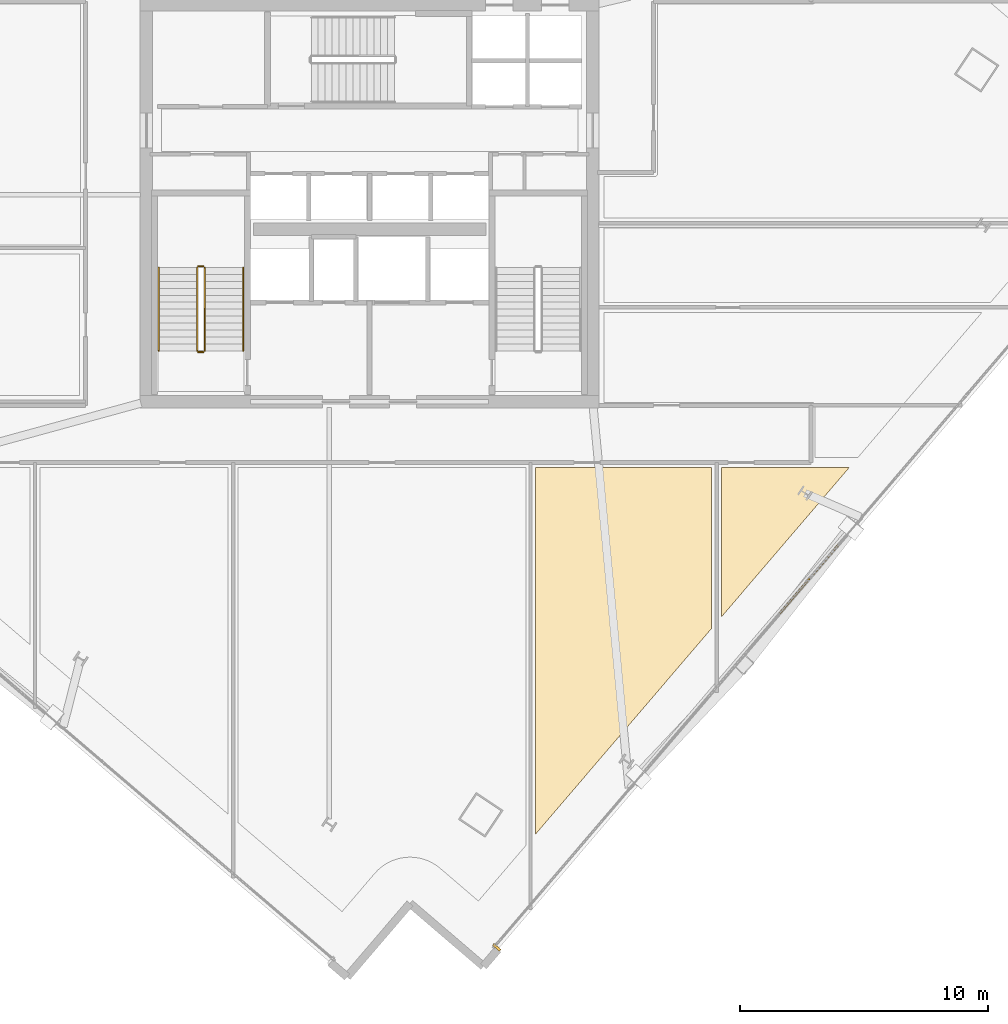
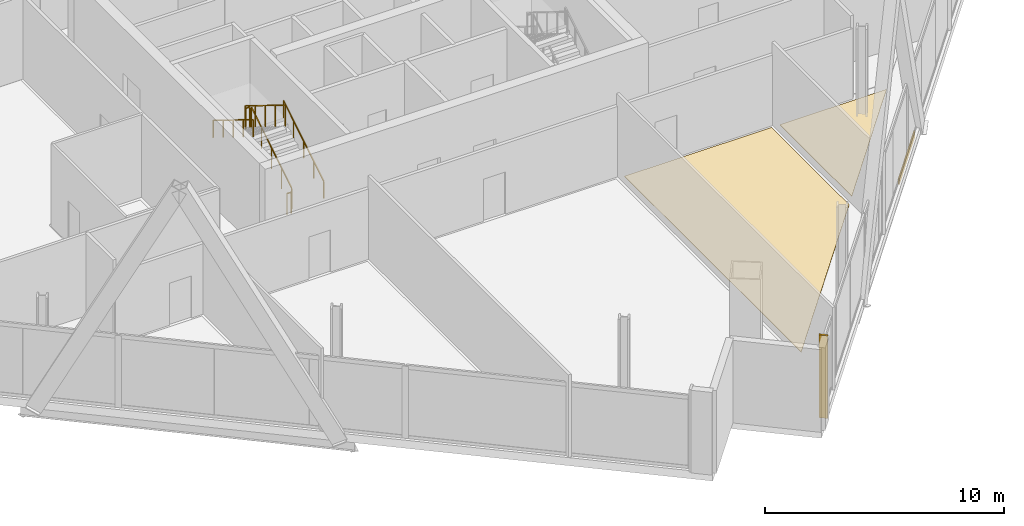
# One storey, part 23 of 26: 6 railings, 4 coverings.
"""IFC4 building model written with IfcOpenShell, lengths in metres."""

from ifc_helpers import new_model, si_unit, direction, frame, origin, origin_2d, place, context, subcontext, project, spatial, polyline, rectangle, outline, extrude, source, transform, mapped, material, layer, layer_set, type_object, element, save


model = new_model("IFC4")

# Units and contexts
model_context = context("Model", 3, precision=1e-05, world=origin(), true_north=direction((0.0, 1.0)))
body_context = subcontext(model_context, "Body", "Model", "MODEL_VIEW")
ifc_project = project(units=[si_unit("LENGTHUNIT", "METRE"), si_unit("AREAUNIT", "SQUARE_METRE"), si_unit("VOLUMEUNIT", "CUBIC_METRE"), si_unit("PLANEANGLEUNIT", "RADIAN"), si_unit("MASSUNIT", "GRAM", prefix="KILO")], contexts=[model_context])

# Site, building, storey
site_placement = place(None, origin())
site = spatial("IfcSite", under=ifc_project, at=site_placement, CompositionType="ELEMENT")
building_placement = place(site_placement, origin())
building = spatial("IfcBuilding", under=site, at=building_placement, Name="Haldenkirk Collegiate Tower", CompositionType="ELEMENT")
storey_placement = place(building_placement, frame((0.0, 0.0, 193.949951171875)))
storey = spatial("IfcBuildingStorey", under=building, at=storey_placement, Name="L48", CompositionType="ELEMENT", Elevation=193.949951171875)

# Coverings
ifc_material_1 = material(Name="Polished collegiate terrazzo", Category="concrete")
ifc_layer_1 = layer(ifc_material_1, 0.02490234375)
ifc_layer_set_1 = layer_set([ifc_layer_1], Name="Polished collegiate terrazzo")
covering_type_1 = type_object("IfcCoveringType", Name="COV-FLOOR-TERRAZZO", PredefinedType="FLOORING", material=ifc_layer_set_1)
covering_1_placement = place(storey_placement, origin())
element("IfcCovering", 1, at=covering_1_placement, inside=storey, type_object=covering_type_1, Name="L48 academic room finish 06", PredefinedType="FLOORING", context=body_context, shape_type="SweptSolid", body=[
    extrude(outline(polyline([(50.199951171875, 9.325439453125), (50.199951171875, 15.35009765625), (55.3544921875, 15.35009765625), (50.199951171875, 9.325439453125)])), origin(), (0.0, 0.0, 1.0), 0.025146484375),
])
ifc_material_2 = material(Name="Engineered collegiate oak acoustic flooring", Category="wood")
ifc_layer_2 = layer(ifc_material_2, 0.02197265625)
ifc_layer_set_2 = layer_set([ifc_layer_2], Name="Engineered collegiate oak acoustic flooring")
covering_type_2 = type_object("IfcCoveringType", Name="COV-FLOOR-TIMBER", PredefinedType="FLOORING", material=ifc_layer_set_2)
covering_2_placement = place(storey_placement, origin())
element("IfcCovering", 2, at=covering_2_placement, inside=storey, type_object=covering_type_2, Name="L48 academic room finish 05", PredefinedType="FLOORING", context=body_context, shape_type="SweptSolid", body=[
    extrude(outline(polyline([(42.699951171875, 0.559814453125), (42.699951171875, 15.35009765625), (49.800048828125, 15.35009765625), (49.800048828125, 8.85791015625), (42.699951171875, 0.559814453125)])), origin(), (0.0, 0.0, 1.0), 0.02197265625),
])

# Railings
ifc_material_3 = material(Name="Painted architectural tubular steel", Category="steel")
railing_type_1 = type_object("IfcRailingType", Name="RLG-STAIR-GUARD-1100", PredefinedType="BALUSTRADE", material=ifc_material_3)
railing_1_placement = place(storey_placement, frame((29.35009765625, 20.050048828125, 0.173095703125)))
element("IfcRailing", 3, at=railing_1_placement, inside=storey, type_object=railing_type_1, Name="L48 ST-1 stair guard 1", PredefinedType="BALUSTRADE", context=body_context, shape_type="SweptSolid", body=[
    extrude(rectangle(XDim=0.048095703125, YDim=0.048095703125, at=origin_2d()), frame((0.0, 0.0, 1.076171875), z_axis=(0.0, 0.850606129759, 0.525803396734), x_axis=(-1.0, 0.0, 0.0)), (0.0, 0.0, 1.0), 3.949951171875),
    extrude(rectangle(XDim=0.0419921875, YDim=0.0419921875, at=origin_2d()), origin(), (0.0, 0.0, 1.0), 1.052001953125),
    extrude(rectangle(XDim=0.0419921875, YDim=0.0419921875, at=origin_2d()), frame((0.0, 0.83984375, 0.519287109375)), (0.0, 0.0, 1.0), 1.052001953125),
    extrude(rectangle(XDim=0.0419921875, YDim=0.0419921875, at=origin_2d()), frame((0.0, 1.679931640625, 1.03857421875)), (0.0, 0.0, 1.0), 1.052001953125),
    extrude(rectangle(XDim=0.0419921875, YDim=0.0419921875, at=origin_2d()), frame((0.0, 2.52001953125, 1.5576171875)), (0.0, 0.0, 1.0), 1.052001953125),
    extrude(rectangle(XDim=0.0419921875, YDim=0.0419921875, at=origin_2d()), frame((0.0, 3.35986328125, 2.076904296875)), (0.0, 0.0, 1.0), 1.052001953125),
])
railing_2_placement = place(storey_placement, frame((29.300048828125, 23.4599609375, 2.25)))
element("IfcRailing", 4, at=railing_2_placement, inside=storey, type_object=railing_type_1, Name="L48 ST-1 stair guard 2", PredefinedType="BALUSTRADE", context=body_context, shape_type="SweptSolid", body=[
    extrude(rectangle(XDim=0.048095703125, YDim=0.048095703125, at=origin_2d()), frame((0.0, 0.0, 1.076171875), z_axis=(-1.0, 0.0, 0.0), x_axis=(0.0, -1.0, 0.0)), (0.0, 0.0, 1.0), 0.199951171875),
    extrude(rectangle(XDim=0.0419921875, YDim=0.0419921875, at=origin_2d()), origin(), (0.0, 0.0, 1.0), 1.052001953125),
    extrude(rectangle(XDim=0.0419921875, YDim=0.0419921875, at=origin_2d()), frame((-0.199951171875, 0.0, 0.0)), (0.0, 0.0, 1.0), 1.052001953125),
])
railing_3_placement = place(storey_placement, frame((29.050048828125, 23.409912109375, 2.423095703125)))
element("IfcRailing", 5, at=railing_3_placement, inside=storey, type_object=railing_type_1, Name="L48 ST-1 stair guard 3", PredefinedType="BALUSTRADE", context=body_context, shape_type="SweptSolid", body=[
    extrude(rectangle(XDim=0.048095703125, YDim=0.048095703125, at=origin_2d()), frame((0.0, 0.0, 1.076171875), z_axis=(0.0, -0.850606129759, 0.525803396734), x_axis=(1.0, 0.0, 0.0)), (0.0, 0.0, 1.0), 3.949951171875),
    extrude(rectangle(XDim=0.0419921875, YDim=0.0419921875, at=origin_2d()), origin(), (0.0, 0.0, 1.0), 1.052001953125),
    extrude(rectangle(XDim=0.0419921875, YDim=0.0419921875, at=origin_2d()), frame((0.0, -0.83984375, 0.519287109375)), (0.0, 0.0, 1.0), 1.052001953125),
    extrude(rectangle(XDim=0.0419921875, YDim=0.0419921875, at=origin_2d()), frame((0.0, -1.679931640625, 1.03857421875)), (0.0, 0.0, 1.0), 1.052001953125),
    extrude(rectangle(XDim=0.0419921875, YDim=0.0419921875, at=origin_2d()), frame((0.0, -2.52001953125, 1.5576171875)), (0.0, 0.0, 1.0), 1.052001953125),
    extrude(rectangle(XDim=0.0419921875, YDim=0.0419921875, at=origin_2d()), frame((0.0, -3.35986328125, 2.076904296875)), (0.0, 0.0, 1.0), 1.052001953125),
])
railing_4_placement = place(storey_placement, frame((29.300048828125, 20.0, 0.0)))
element("IfcRailing", 6, at=railing_4_placement, inside=storey, type_object=railing_type_1, Name="L48 ST-1 stair guard 4", PredefinedType="BALUSTRADE", context=body_context, shape_type="SweptSolid", body=[
    extrude(rectangle(XDim=0.048095703125, YDim=0.048095703125, at=origin_2d()), frame((0.0, 0.0, 1.076171875), z_axis=(-1.0, 0.0, 0.0), x_axis=(0.0, -1.0, 0.0)), (0.0, 0.0, 1.0), 0.199951171875),
    extrude(rectangle(XDim=0.0419921875, YDim=0.0419921875, at=origin_2d()), origin(), (0.0, 0.0, 1.0), 1.052001953125),
    extrude(rectangle(XDim=0.0419921875, YDim=0.0419921875, at=origin_2d()), frame((-0.199951171875, 0.0, 0.0)), (0.0, 0.0, 1.0), 1.052001953125),
])
railing_type_2 = type_object("IfcRailingType", Name="RLG-STAIR-HANDRAIL-900", PredefinedType="HANDRAIL", material=ifc_material_3)
railing_5_placement = place(storey_placement, frame((30.89990234375, 20.050048828125, 0.173095703125)))
element("IfcRailing", 7, at=railing_5_placement, inside=storey, type_object=railing_type_2, Name="L48 ST-1 stair handrail 1", PredefinedType="HANDRAIL", context=body_context, shape_type="SweptSolid", body=[
    extrude(rectangle(XDim=0.048095703125, YDim=0.048095703125, at=origin_2d()), frame((0.0, 0.0, 0.8759765625), z_axis=(0.0, 0.850606129759, 0.525803396734), x_axis=(-1.0, 0.0, 0.0)), (0.0, 0.0, 1.0), 3.949951171875),
    extrude(rectangle(XDim=0.0419921875, YDim=0.0419921875, at=origin_2d()), origin(), (0.0, 0.0, 1.0), 0.851806640625),
    extrude(rectangle(XDim=0.0419921875, YDim=0.0419921875, at=origin_2d()), frame((0.0, 0.83984375, 0.519287109375)), (0.0, 0.0, 1.0), 0.851806640625),
    extrude(rectangle(XDim=0.0419921875, YDim=0.0419921875, at=origin_2d()), frame((0.0, 1.679931640625, 1.03857421875)), (0.0, 0.0, 1.0), 0.851806640625),
    extrude(rectangle(XDim=0.0419921875, YDim=0.0419921875, at=origin_2d()), frame((0.0, 2.52001953125, 1.5576171875)), (0.0, 0.0, 1.0), 0.851806640625),
    extrude(rectangle(XDim=0.0419921875, YDim=0.0419921875, at=origin_2d()), frame((0.0, 3.35986328125, 2.076904296875)), (0.0, 0.0, 1.0), 0.851806640625),
])
railing_6_placement = place(storey_placement, frame((27.5, 23.409912109375, 2.423095703125)))
element("IfcRailing", 8, at=railing_6_placement, inside=storey, type_object=railing_type_2, Name="L48 ST-1 stair handrail 2", PredefinedType="HANDRAIL", context=body_context, shape_type="SweptSolid", body=[
    extrude(rectangle(XDim=0.048095703125, YDim=0.048095703125, at=origin_2d()), frame((0.0, 0.0, 0.8759765625), z_axis=(0.0, -0.850606129759, 0.525803396734), x_axis=(1.0, 0.0, 0.0)), (0.0, 0.0, 1.0), 3.949951171875),
    extrude(rectangle(XDim=0.0419921875, YDim=0.0419921875, at=origin_2d()), origin(), (0.0, 0.0, 1.0), 0.851806640625),
    extrude(rectangle(XDim=0.0419921875, YDim=0.0419921875, at=origin_2d()), frame((0.0, -0.83984375, 0.519287109375)), (0.0, 0.0, 1.0), 0.851806640625),
    extrude(rectangle(XDim=0.0419921875, YDim=0.0419921875, at=origin_2d()), frame((0.0, -1.679931640625, 1.03857421875)), (0.0, 0.0, 1.0), 0.851806640625),
    extrude(rectangle(XDim=0.0419921875, YDim=0.0419921875, at=origin_2d()), frame((0.0, -2.52001953125, 1.5576171875)), (0.0, 0.0, 1.0), 0.851806640625),
    extrude(rectangle(XDim=0.0419921875, YDim=0.0419921875, at=origin_2d()), frame((0.0, -3.35986328125, 2.076904296875)), (0.0, 0.0, 1.0), 0.851806640625),
])

# Coverings
ifc_material_4 = material(Name="Anodised architectural bronze aluminium", Category="aluminium")
ifc_layer_3 = layer(ifc_material_4, 0.06005859375)
ifc_layer_set_3 = layer_set([ifc_layer_3], Name="Anodised architectural bronze aluminium")
covering_type_3 = type_object("IfcCoveringType", Name="COV-CLAD-BRONZE-60", PredefinedType="CLADDING", material=ifc_layer_set_3)
shared_shape_1 = source(origin(), body_context, "Body", "SweptSolid", [
    extrude(rectangle(XDim=3.60009765625, YDim=0.06005859375, at=origin_2d()), origin(), (0.0, 0.0, 1.0), 0.300048828125),
])
covering_3_placement = place(storey_placement, frame((53.719482421875, 10.83935546875, -0.2998046875), z_axis=(0.0, 0.0, 1.0), x_axis=(-0.650111380342, -0.759838925793, 0.0)))
element("IfcCovering", 9, at=covering_3_placement, inside=storey, type_object=covering_type_3, Name="L48 architectural bronze spandrel cladding S", PredefinedType="CLADDING", context=body_context, shape_type="MappedRepresentation", body=[
    mapped(shared_shape_1, transform((0.0, 0.0, 0.0), x_axis=(1.0, 0.0, 0.0), y_axis=(0.0, 1.0, 0.0), z_axis=(0.0, 0.0, 1.0), scale=1.0)),
])
shared_shape_2 = source(origin(), body_context, "Body", "SweptSolid", [
    extrude(rectangle(XDim=0.10009765625, YDim=0.3798828125, at=origin_2d()), origin(), (0.0, 0.0, 1.0), 4.219970703125),
])
covering_4_placement = place(storey_placement, frame((41.130126953125, -4.01318359375, 0.0), z_axis=(0.0, 0.0, 1.0), x_axis=(-0.650111380342, -0.759838925793, 0.0)))
element("IfcCovering", 10, at=covering_4_placement, inside=storey, type_object=covering_type_3, Name="L48 recessed curtain-wall bronze jamb closure SJR", PredefinedType="CLADDING", context=body_context, shape_type="MappedRepresentation", body=[
    mapped(shared_shape_2, transform((0.0, 0.0, 0.0), x_axis=(1.0, 0.0, 0.0), y_axis=(0.0, 1.0, 0.0), z_axis=(0.0, 0.0, 1.0), scale=1.0)),
])

save(model, "model.ifc")
